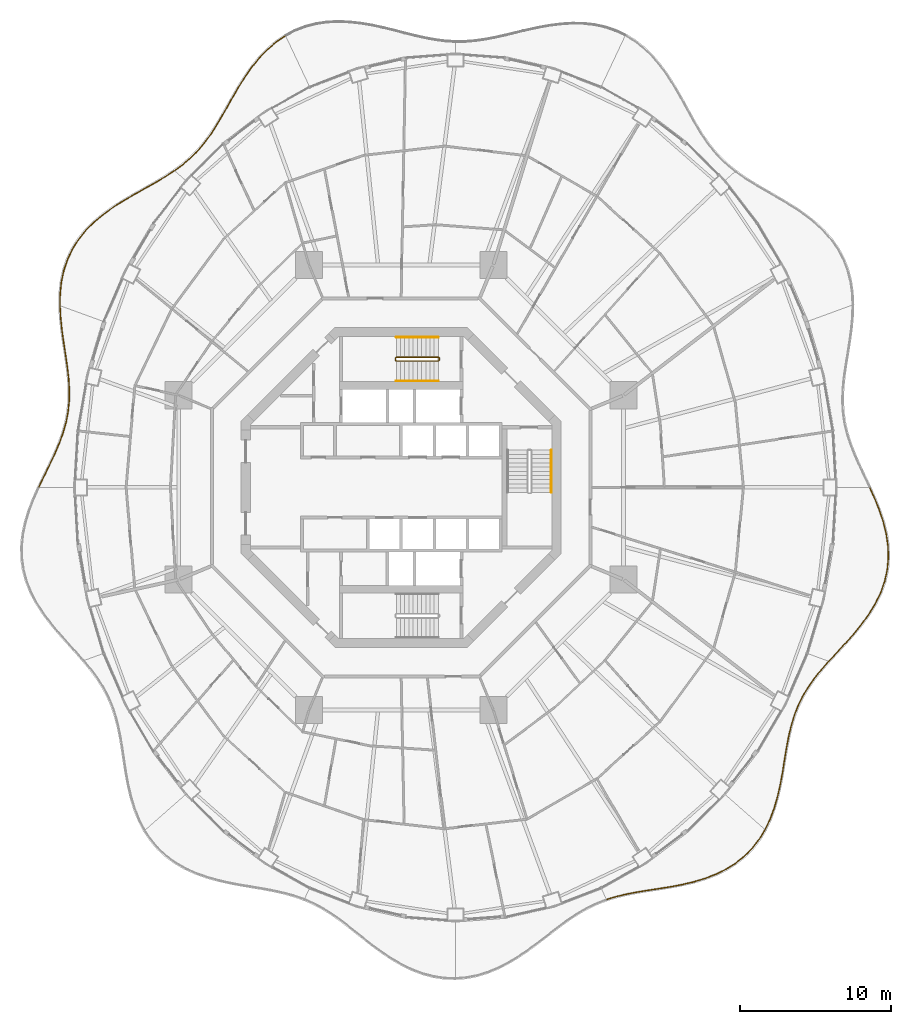
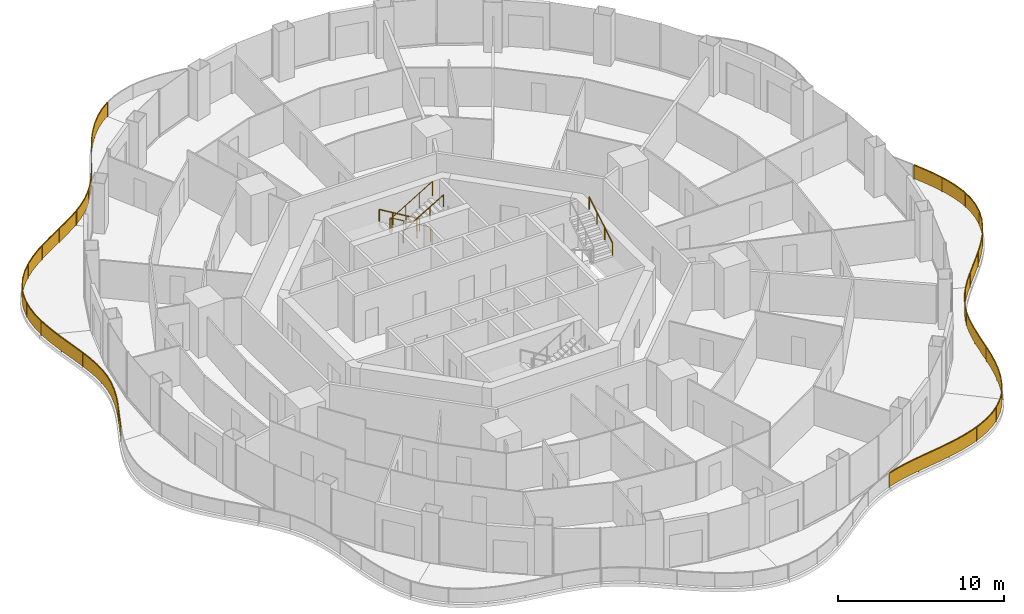
# One storey, part 18 of 19: 10 railings.
"""IFC4 building model written with IfcOpenShell, lengths in metres."""

import ifcopenshell
import ifcopenshell.guid

model = None  # the IFC model being written
_history = None  # IfcOwnerHistory: only IFC2X3 demands one
_inside = {}  # id of a spatial element -> (the spatial element, [elements in it])
_under = {}  # id of a project, library or spatial element -> (it, [spatial elements below it])
_declared = {}  # id of a project -> (the project, [libraries it declares])
_typed = {}  # id of a type object -> (the type object, [elements of that type])
_made_of = {}  # id of a material, layer set ... -> (it, [elements and type objects made of it])


def new_model(schema):
    """Start an empty IFC model of exactly this schema.

    Asked for "IFC4X3", IfcOpenShell would pick the latest addendum, in which some entities
    have other attributes; the version numbers below select the first issue.
    IFC2X3 requires an IfcOwnerHistory on every rooted entity: one is made here for all.
    """
    global model, _history
    if schema == "IFC4X3":
        model = ifcopenshell.file(schema_version=(4, 3, 0, 0))
    else:
        model = ifcopenshell.file(schema=schema)
    _inside.clear()
    _under.clear()
    _declared.clear()
    _typed.clear()
    _made_of.clear()
    _history = None
    if model.schema == "IFC2X3":
        org = make("IfcOrganization", Name="unknown")
        user = make(
            "IfcPersonAndOrganization",
            ThePerson=make("IfcPerson", FamilyName="unknown"),
            TheOrganization=org,
        )
        app = make(
            "IfcApplication",
            ApplicationDeveloper=org,
            Version="unknown",
            ApplicationFullName="unknown",
            ApplicationIdentifier="unknown",
        )
        _history = make(
            "IfcOwnerHistory",
            OwningUser=user,
            OwningApplication=app,
            ChangeAction="ADDED",
            CreationDate=0,
        )
    return model


def make(cls, **values):
    """One entity of the class cls with the attributes given. An attribute that is None is left unset."""
    return model.create_entity(
        cls, **{name: value for name, value in values.items() if value is not None}
    )


def rooted(cls, **values):
    """An entity with a GlobalId (a new one), such as an element, a storey or a relation."""
    return make(cls, GlobalId=ifcopenshell.guid.new(), OwnerHistory=_history, **values)


def si_unit(unit_type, name, prefix=None):
    """IfcSIUnit, for example si_unit("LENGTHUNIT", "METRE", prefix="MILLI")."""
    return make("IfcSIUnit", UnitType=unit_type, Prefix=prefix, Name=name)


def assignment(units):
    """IfcUnitAssignment: the units of a project."""
    return None if units is None else make("IfcUnitAssignment", Units=units)


def point(xyz):
    """IfcCartesianPoint."""
    return None if xyz is None else make("IfcCartesianPoint", Coordinates=xyz)


def direction(xyz):
    """IfcDirection."""
    return None if xyz is None else make("IfcDirection", DirectionRatios=xyz)


def frame(location, z_axis=None, x_axis=None):
    """IfcAxis2Placement3D, a coordinate frame: its origin and axes. An axis left out is left unset."""
    return make(
        "IfcAxis2Placement3D",
        Location=point(location),
        Axis=direction(z_axis),
        RefDirection=direction(x_axis),
    )


def frame_2d(location, x_axis=None):
    """IfcAxis2Placement2D, a coordinate frame in the plane: its origin and x axis."""
    return make(
        "IfcAxis2Placement2D", Location=point(location), RefDirection=direction(x_axis)
    )


def origin():
    """The frame at (0, 0, 0) with its axes left unset."""
    return frame((0.0, 0.0, 0.0))


def origin_2d():
    """The frame at (0, 0) in the plane with its x axis left unset."""
    return frame_2d((0.0, 0.0))


def place(relative_to, where):
    """IfcLocalPlacement: puts the frame where relative to a parent placement (None: the world)."""
    return make(
        "IfcLocalPlacement", PlacementRelTo=relative_to, RelativePlacement=where
    )


def context(
    kind, dimensions, precision=None, world=None, true_north=None, identifier=None
):
    """IfcGeometricRepresentationContext, for example the 3D "Model" context."""
    return make(
        "IfcGeometricRepresentationContext",
        ContextIdentifier=identifier,
        ContextType=kind,
        CoordinateSpaceDimension=dimensions,
        Precision=precision,
        WorldCoordinateSystem=world,
        TrueNorth=true_north,
    )


def subcontext(parent, identifier, kind, view, scale=None):
    """IfcGeometricRepresentationSubContext, for example "Body" below "Model"."""
    return make(
        "IfcGeometricRepresentationSubContext",
        ContextIdentifier=identifier,
        ContextType=kind,
        ParentContext=parent,
        TargetScale=scale,
        TargetView=view,
    )


def project(units=None, contexts=None):
    """IfcProject with its units and contexts."""
    return rooted(
        "IfcProject",
        Name="project",
        RepresentationContexts=contexts,
        UnitsInContext=assignment(units),
    )


def spatial(cls, under=None, at=None, **own):
    """A site, building, storey or space (cls), placed at a placement, below another one or the project."""
    s = rooted(cls, ObjectPlacement=at, **own)
    if under is not None:
        _under.setdefault(under.id(), (under, []))[1].append(s)
    return s


def polyline(points):
    """IfcPolyline through the points."""
    return make("IfcPolyline", Points=[point(p) for p in points])


def profile(cls, at=None, kind="AREA", **sizes):
    """A parametric profile (cls). Its sizes go by their IFC names, for example OverallWidth=200.0."""
    return make(cls, ProfileType=kind, Position=at, **sizes)


def rectangle(**sizes):
    """IfcRectangleProfileDef."""
    return profile("IfcRectangleProfileDef", **sizes)


def circle(**sizes):
    """IfcCircleProfileDef."""
    return profile("IfcCircleProfileDef", **sizes)


def outline(outer, holes=None, kind="AREA"):
    """IfcArbitraryClosedProfileDef: a profile drawn as a closed curve; with holes, ...WithVoids."""
    if holes is None:
        return make("IfcArbitraryClosedProfileDef", ProfileType=kind, OuterCurve=outer)
    return make(
        "IfcArbitraryProfileDefWithVoids",
        ProfileType=kind,
        OuterCurve=outer,
        InnerCurves=holes,
    )


def extrude(swept, where, along, depth):
    """IfcExtrudedAreaSolid: the profile swept, set in the frame where, extruded along a direction by depth."""
    return make(
        "IfcExtrudedAreaSolid",
        SweptArea=swept,
        Position=where,
        ExtrudedDirection=direction(along),
        Depth=depth,
    )


def shape(context_of_items, identifier, shape_type, items):
    """IfcShapeRepresentation: the items that make up one representation, for example the "Body"."""
    return make(
        "IfcShapeRepresentation",
        ContextOfItems=context_of_items,
        RepresentationIdentifier=identifier,
        RepresentationType=shape_type,
        Items=items,
    )


def material(Name=None, Category=None):
    """IfcMaterial."""
    return make("IfcMaterial", Name=Name, Category=Category)


def made_of(thing, what):
    """Note that an element or type object is made of a material, layer set ...; save() writes the relation."""
    if what is not None:
        _made_of.setdefault(what.id(), (what, []))[1].append(thing)
    return thing


def type_object(cls, material=None, **own):
    """A type object (cls), such as IfcWallType, which elements share."""
    return made_of(rooted(cls, **own), material)


def element(
    cls,
    number,
    at=None,
    inside=None,
    cuts=None,
    type_object=None,
    material=None,
    context=None,
    identifier="Body",
    shape_type=None,
    held_by="IfcProductDefinitionShape",
    body=None,
    shapes=None,
    **own,
):
    """One element of the class cls, such as IfcWall. Its Tag is "e" and its number.

    at: its placement. inside: the storey or other place that contains it. cuts: it is an
    opening in that element (IfcRelVoidsElement). A single representation is given by context,
    identifier, shape_type and body (its items); several are given by shapes. held_by: the class
    of the entity that holds the representations. save() writes the other relations.
    """
    e = rooted(cls, Tag="e%d" % number, ObjectPlacement=at, **own)
    if body is not None:
        shapes = [shape(context, identifier, shape_type, body)]
    if shapes is not None:
        e.Representation = make(held_by, Representations=shapes)
    if inside is not None:
        _inside.setdefault(inside.id(), (inside, []))[1].append(e)
    if cuts is not None:
        rooted(
            "IfcRelVoidsElement", RelatingBuildingElement=cuts, RelatedOpeningElement=e
        )
    if type_object is not None:
        _typed.setdefault(type_object.id(), (type_object, []))[1].append(e)
    return made_of(e, material)


def aggregate(whole, parts):
    """IfcRelAggregates: a whole, such as a stair, and the parts it consists of."""
    return rooted("IfcRelAggregates", RelatingObject=whole, RelatedObjects=parts)


def save(model, path):
    """Write the relations noted so far, then the file.

    IfcRelAggregates (storeys below a building ...), IfcRelContainedInSpatialStructure (elements
    in a storey), IfcRelDefinesByType, IfcRelAssociatesMaterial and IfcRelDeclares: one each for
    every whole, place, type object, material and project.
    """
    for whole, parts in _under.values():
        aggregate(whole, parts)
    for where, things in _inside.values():
        rooted(
            "IfcRelContainedInSpatialStructure",
            RelatedElements=things,
            RelatingStructure=where,
        )
    for kind, things in _typed.values():
        rooted("IfcRelDefinesByType", RelatedObjects=things, RelatingType=kind)
    for what, things in _made_of.values():
        rooted("IfcRelAssociatesMaterial", RelatedObjects=things, RelatingMaterial=what)
    for by, libraries in _declared.values():
        rooted("IfcRelDeclares", RelatingContext=by, RelatedDefinitions=libraries)
    model.write(path)


model = new_model("IFC4")

# Units and contexts
model_context = context("Model", 3, precision=1e-05, world=origin(), true_north=direction((0.0, 1.0)))
body_context = subcontext(model_context, "Body", "Model", "MODEL_VIEW")
ifc_project = project(units=[si_unit("LENGTHUNIT", "METRE"), si_unit("AREAUNIT", "SQUARE_METRE"), si_unit("VOLUMEUNIT", "CUBIC_METRE"), si_unit("PLANEANGLEUNIT", "RADIAN"), si_unit("MASSUNIT", "GRAM", prefix="KILO")], contexts=[model_context])

# Site, building, storey
site_placement = place(None, origin())
site = spatial("IfcSite", under=ifc_project, at=site_placement, CompositionType="ELEMENT")
building_placement = place(site_placement, origin())
building = spatial("IfcBuilding", under=site, at=building_placement, Name="Nagisa Residences", CompositionType="ELEMENT")
storey_placement = place(building_placement, frame((0.0, 0.0, 177.0)))
storey = spatial("IfcBuildingStorey", under=building, at=storey_placement, Name="L44", CompositionType="ELEMENT", Elevation=177.0)

# Railings
ifc_material_1 = material(Name="Stainless steel 316", Category="steel")
railing_type_1 = type_object("IfcRailingType", Name="BALCONY GUARD 1100", PredefinedType="BALUSTRADE", material=ifc_material_1)
railing_1_placement = place(storey_placement, frame((-7.71484375, 29.990966796875, 0.0)))
element("IfcRailing", 1, at=railing_1_placement, inside=storey, type_object=railing_type_1, Name="guard:L44:bal05-0", PredefinedType="BALUSTRADE", context=body_context, shape_type="SweptSolid", body=[
    extrude(outline(polyline([(-0.57421875, -0.423095703125), (0.01416015625, -0.020751953125), (-0.01416015625, 0.020751953125), (-0.6044921875, -0.383056640625), (-1.190673828125, -0.883544921875), (-1.730712890625, -1.444580078125), (-2.2265625, -2.053466796875), (-2.681396484375, -2.697265625), (-3.0888671875, -3.353271484375), (-3.483154296875, -4.025634765625), (-3.860107421875, -4.692626953125), (-4.230224609375, -5.3427734375), (-4.602783203125, -5.966552734375), (-4.9765625, -6.54638671875), (-5.384521484375, -7.098388671875), (-5.822509765625, -7.61083984375), (-6.296142578125, -8.084716796875), (-6.80859375, -8.523193359375), (-7.326904296875, -8.90576171875), (-7.297119140625, -8.94580078125), (-6.77734375, -8.562255859375), (-6.261962890625, -8.121337890625), (-5.785888671875, -7.64501953125), (-5.345458984375, -7.129638671875), (-4.935546875, -6.57470703125), (-4.560302734375, -5.992919921875), (-4.186767578125, -5.3681640625), (-3.816650390625, -4.717529296875), (-3.439697265625, -4.050537109375), (-3.0458984375, -3.379150390625), (-2.639892578125, -2.72509765625), (-2.1865234375, -2.083740234375), (-1.693115234375, -1.477783203125), (-1.156494140625, -0.920166015625), (-0.57421875, -0.423095703125)])), frame((0.0, 0.0, 1.050048828125)), (0.0, 0.0, 1.0), 0.050048828125),
    extrude(outline(polyline([(-0.585205078125, -0.40869140625), (0.00390625, -0.005859375), (-0.00390625, 0.005859375), (-0.593505859375, -0.3974609375), (-1.178466796875, -0.896728515625), (-1.717041015625, -1.45654296875), (-2.212158203125, -2.064453125), (-2.66650390625, -2.707275390625), (-3.073486328125, -3.362548828125), (-3.467529296875, -4.03466796875), (-3.844482421875, -4.70166015625), (-4.214599609375, -5.35205078125), (-4.58740234375, -5.97607421875), (-4.9619140625, -6.556640625), (-5.370361328125, -7.109619140625), (-5.809326171875, -7.623291015625), (-6.28369140625, -8.097900390625), (-6.79736328125, -8.537353515625), (-7.316162109375, -8.920166015625), (-7.307861328125, -8.931396484375), (-6.78857421875, -8.548095703125), (-6.2744140625, -8.108154296875), (-5.799072265625, -7.632568359375), (-5.359619140625, -7.118408203125), (-4.9501953125, -6.564453125), (-4.57568359375, -5.9833984375), (-4.202392578125, -5.35888671875), (-3.832275390625, -4.70849609375), (-3.455322265625, -4.04150390625), (-3.061279296875, -3.369873046875), (-2.65478515625, -2.715087890625), (-2.200927734375, -2.07275390625), (-1.706787109375, -1.4658203125), (-1.168701171875, -0.906982421875), (-0.585205078125, -0.40869140625)])), frame((0.0, 0.0, 0.06005859375)), (0.0, 0.0, 1.0), 0.989990234375),
    extrude(rectangle(XDim=0.0400390625, YDim=0.0400390625, at=origin_2d()), origin(), (0.0, 0.0, 1.0), 1.050048828125),
    extrude(rectangle(XDim=0.0400390625, YDim=0.0400390625, at=origin_2d()), frame((-1.759521484375, -1.51953125, 0.0)), (0.0, 0.0, 1.0), 1.050048828125),
    extrude(rectangle(XDim=0.0400390625, YDim=0.0400390625, at=origin_2d()), frame((-3.1015625, -3.424560546875, 0.0)), (0.0, 0.0, 1.0), 1.050048828125),
    extrude(rectangle(XDim=0.0400390625, YDim=0.0400390625, at=origin_2d()), frame((-4.263916015625, -5.4482421875, 0.0)), (0.0, 0.0, 1.0), 1.050048828125),
    extrude(rectangle(XDim=0.0400390625, YDim=0.0400390625, at=origin_2d()), frame((-5.5830078125, -7.368896484375, 0.0)), (0.0, 0.0, 1.0), 1.050048828125),
    extrude(rectangle(XDim=0.0400390625, YDim=0.0400390625, at=origin_2d()), frame((-7.31201171875, -8.92578125, 0.0)), (0.0, 0.0, 1.0), 1.050048828125),
])
railing_2_placement = place(storey_placement, frame((-15.0869140625, 21.02587890625, 0.0)))
element("IfcRailing", 2, at=railing_2_placement, inside=storey, type_object=railing_type_1, Name="guard:L44:bal06-0", PredefinedType="BALUSTRADE", context=body_context, shape_type="SweptSolid", body=[
    extrude(outline(polyline([(-0.572265625, -0.40185546875), (0.013671875, -0.02099609375), (-0.013671875, 0.02099609375), (-0.5986328125, -0.359375), (-1.2548828125, -0.7490234375), (-1.9384765625, -1.135009765625), (-2.63818359375, -1.52783203125), (-3.340087890625, -1.938720703125), (-4.021240234375, -2.364990234375), (-4.683349609375, -2.83935546875), (-5.30224609375, -3.35546875), (-5.864501953125, -3.917236328125), (-6.3583984375, -4.52587890625), (-6.767822265625, -5.16748046875), (-7.100341796875, -5.86474609375), (-7.346923828125, -6.599609375), (-7.50927734375, -7.36474609375), (-7.59326171875, -8.152587890625), (-7.60498046875, -8.908935546875), (-7.55517578125, -8.909912109375), (-7.54345703125, -8.155517578125), (-7.4599609375, -7.37255859375), (-7.298583984375, -6.61279296875), (-7.053955078125, -5.8837890625), (-6.723876953125, -5.19189453125), (-6.31787109375, -4.55517578125), (-5.827392578125, -3.950927734375), (-5.2685546875, -3.392578125), (-4.652587890625, -2.87890625), (-3.993408203125, -2.406494140625), (-3.314208984375, -1.981689453125), (-2.61328125, -1.5712890625), (-1.9140625, -1.178466796875), (-1.22998046875, -0.79248046875), (-0.572265625, -0.40185546875)])), frame((0.0, 0.0, 1.050048828125)), (0.0, 0.0, 1.0), 0.050048828125),
    extrude(outline(polyline([(-0.581787109375, -0.386474609375), (0.00390625, -0.005859375), (-0.00390625, 0.005859375), (-0.589111328125, -0.374755859375), (-1.245849609375, -0.7646484375), (-1.9296875, -1.150634765625), (-2.629150390625, -1.54345703125), (-3.330810546875, -1.9541015625), (-4.01123046875, -2.3798828125), (-4.67236328125, -2.853515625), (-5.2900390625, -3.368896484375), (-5.85107421875, -3.929443359375), (-6.34375, -4.536376953125), (-6.751953125, -5.17626953125), (-7.083740234375, -5.87158203125), (-7.32958984375, -6.604248046875), (-7.491455078125, -7.367431640625), (-7.575439453125, -8.153564453125), (-7.587158203125, -8.909423828125), (-7.572998046875, -8.909423828125), (-7.561279296875, -8.154541015625), (-7.477783203125, -7.369873046875), (-7.31591796875, -6.608154296875), (-7.070556640625, -5.876953125), (-6.73974609375, -5.18310546875), (-6.33251953125, -4.544677734375), (-5.8408203125, -3.938720703125), (-5.28076171875, -3.379150390625), (-4.66357421875, -2.86474609375), (-4.00341796875, -2.3916015625), (-3.323486328125, -1.96630859375), (-2.622314453125, -1.5556640625), (-1.9228515625, -1.162841796875), (-1.239013671875, -0.77685546875), (-0.581787109375, -0.386474609375)])), frame((0.0, 0.0, 0.06005859375)), (0.0, 0.0, 1.0), 0.989990234375),
    extrude(rectangle(XDim=0.0400390625, YDim=0.0400390625, at=origin_2d()), origin(), (0.0, 0.0, 1.0), 1.050048828125),
    extrude(rectangle(XDim=0.0400390625, YDim=0.0400390625, at=origin_2d()), frame((-1.7802734375, -1.07421875, 0.0)), (0.0, 0.0, 1.0), 1.050048828125),
    extrude(rectangle(XDim=0.0400390625, YDim=0.0400390625, at=origin_2d()), frame((-3.5791015625, -2.117919921875, 0.0)), (0.0, 0.0, 1.0), 1.050048828125),
    extrude(rectangle(XDim=0.0400390625, YDim=0.0400390625, at=origin_2d()), frame((-5.253173828125, -3.34716796875, 0.0)), (0.0, 0.0, 1.0), 1.050048828125),
    extrude(rectangle(XDim=0.0400390625, YDim=0.0400390625, at=origin_2d()), frame((-6.587890625, -4.93212890625, 0.0)), (0.0, 0.0, 1.0), 1.050048828125),
    extrude(rectangle(XDim=0.0400390625, YDim=0.0400390625, at=origin_2d()), frame((-7.37353515625, -6.845703125, 0.0)), (0.0, 0.0, 1.0), 1.050048828125),
    extrude(rectangle(XDim=0.0400390625, YDim=0.0400390625, at=origin_2d()), frame((-7.580078125, -8.909423828125, 0.0)), (0.0, 0.0, 1.0), 1.050048828125),
])
railing_3_placement = place(storey_placement, frame((-22.66455078125, 12.039306640625, 0.0)))
element("IfcRailing", 3, at=railing_3_placement, inside=storey, type_object=railing_type_1, Name="guard:L44:bal07-0", PredefinedType="BALUSTRADE", context=body_context, shape_type="SweptSolid", body=[
    extrude(outline(polyline([(0.069091796875, -0.785888671875), (0.02490234375, 0.00146484375), (-0.02490234375, -0.00146484375), (0.019287109375, -0.789794921875), (0.1083984375, -1.62353515625), (0.224853515625, -2.4482421875), (0.348876953125, -3.258544921875), (0.462158203125, -4.051025390625), (0.551513671875, -4.8095703125), (0.5947265625, -5.5615234375), (0.584716796875, -6.295654296875), (0.512451171875, -7.0146484375), (0.3759765625, -7.723876953125), (0.17724609375, -8.414306640625), (-0.08056640625, -9.11962890625), (-0.386474609375, -9.83056640625), (-0.726806640625, -10.5517578125), (-1.084716796875, -11.2861328125), (-1.42431640625, -11.994140625), (-1.37939453125, -12.015625), (-1.039794921875, -11.30810546875), (-0.681884765625, -10.5732421875), (-0.341064453125, -9.85107421875), (-0.0341796875, -9.13818359375), (0.22509765625, -8.429931640625), (0.4248046875, -7.735595703125), (0.562255859375, -7.02197265625), (0.634521484375, -6.298583984375), (0.64501953125, -5.560546875), (0.601318359375, -4.80517578125), (0.511962890625, -4.044677734375), (0.398193359375, -3.251220703125), (0.274169921875, -2.44091796875), (0.158203125, -1.6171875), (0.069091796875, -0.785888671875)])), frame((0.0, 0.0, 1.050048828125)), (0.0, 0.0, 1.0), 0.050048828125),
    extrude(outline(polyline([(0.05126953125, -0.787353515625), (0.007080078125, 0.00048828125), (-0.007080078125, -0.00048828125), (0.037109375, -0.788330078125), (0.12646484375, -1.621337890625), (0.24267578125, -2.445556640625), (0.36669921875, -3.255859375), (0.480224609375, -4.048828125), (0.5693359375, -4.80810546875), (0.61279296875, -5.561279296875), (0.6025390625, -6.296630859375), (0.530517578125, -7.017333984375), (0.3935546875, -7.72802734375), (0.194580078125, -8.419921875), (-0.06396484375, -9.126220703125), (-0.3701171875, -9.837890625), (-0.710693359375, -10.5595703125), (-1.068603515625, -11.294189453125), (-1.408203125, -12.001953125), (-1.3955078125, -12.0078125), (-1.055908203125, -11.300048828125), (-0.697998046875, -10.5654296875), (-0.357421875, -9.84375), (-0.05078125, -9.131591796875), (0.207763671875, -8.42431640625), (0.4072265625, -7.7314453125), (0.544189453125, -7.019287109375), (0.61669921875, -6.297607421875), (0.626953125, -5.560791015625), (0.58349609375, -4.806640625), (0.493896484375, -4.046875), (0.38037109375, -3.25390625), (0.25634765625, -2.443603515625), (0.14013671875, -1.619384765625), (0.05126953125, -0.787353515625)])), frame((0.0, 0.0, 0.06005859375)), (0.0, 0.0, 1.0), 0.989990234375),
    extrude(rectangle(XDim=0.0400390625, YDim=0.0400390625, at=origin_2d()), origin(), (0.0, 0.0, 1.0), 1.050048828125),
    extrude(rectangle(XDim=0.0400390625, YDim=0.0400390625, at=origin_2d()), frame((0.195556640625, -2.061767578125, 0.0)), (0.0, 0.0, 1.0), 1.050048828125),
    extrude(rectangle(XDim=0.0400390625, YDim=0.0400390625, at=origin_2d()), frame((0.49462890625, -4.1123046875, 0.0)), (0.0, 0.0, 1.0), 1.050048828125),
    extrude(rectangle(XDim=0.0400390625, YDim=0.0400390625, at=origin_2d()), frame((0.611328125, -6.17822265625, 0.0)), (0.0, 0.0, 1.0), 1.050048828125),
    extrude(rectangle(XDim=0.0400390625, YDim=0.0400390625, at=origin_2d()), frame((0.260986328125, -8.214111328125, 0.0)), (0.0, 0.0, 1.0), 1.050048828125),
    extrude(rectangle(XDim=0.0400390625, YDim=0.0400390625, at=origin_2d()), frame((-0.503662109375, -10.137451171875, 0.0)), (0.0, 0.0, 1.0), 1.050048828125),
    extrude(rectangle(XDim=0.0400390625, YDim=0.0400390625, at=origin_2d()), frame((-1.40185546875, -12.0048828125, 0.0)), (0.0, 0.0, 1.0), 1.050048828125),
])
railing_4_placement = place(storey_placement, frame((13.67333984375, -27.3662109375, 0.0)))
element("IfcRailing", 4, at=railing_4_placement, inside=storey, type_object=railing_type_1, Name="guard:L44:bal13-0", PredefinedType="BALUSTRADE", context=body_context, shape_type="SweptSolid", body=[
    extrude(outline(polyline([(0.6083984375, 0.20947265625), (-0.00732421875, 0.02392578125), (0.00732421875, -0.02392578125), (0.62158203125, 0.1611328125), (1.302978515625, 0.323486328125), (2.010986328125, 0.458984375), (2.743408203125, 0.5791015625), (3.495849609375, 0.695556640625), (4.247802734375, 0.8125), (5.018310546875, 0.9609375), (5.783935546875, 1.1435546875), (6.53369140625, 1.371337890625), (7.25732421875, 1.65234375), (7.931884765625, 1.98291015625), (8.57177734375, 2.3876953125), (9.15673828125, 2.857421875), (9.6806640625, 3.389892578125), (10.140380859375, 3.9814453125), (10.5078125, 4.585205078125), (10.46484375, 4.611083984375), (10.098876953125, 4.009765625), (9.64306640625, 3.423095703125), (9.123046875, 2.89453125), (8.54248046875, 2.4287109375), (7.907470703125, 2.02685546875), (7.2373046875, 1.6982421875), (6.517578125, 1.418701171875), (5.770751953125, 1.19189453125), (5.007568359375, 1.009765625), (4.239013671875, 0.86181640625), (3.488037109375, 0.744873046875), (2.735595703125, 0.62841796875), (2.002197265625, 0.50830078125), (1.292236328125, 0.372314453125), (0.6083984375, 0.20947265625)])), frame((0.0, 0.0, 1.050048828125)), (0.0, 0.0, 1.0), 0.050048828125),
    extrude(outline(polyline([(0.61328125, 0.192138671875), (-0.001953125, 0.006591796875), (0.001953125, -0.006591796875), (0.61669921875, 0.178466796875), (1.299072265625, 0.341064453125), (2.0078125, 0.476806640625), (2.74072265625, 0.596923828125), (3.492919921875, 0.71337890625), (4.24462890625, 0.830322265625), (5.014404296875, 0.978515625), (5.779296875, 1.160888671875), (6.52783203125, 1.388427734375), (7.250244140625, 1.6689453125), (7.923095703125, 1.998779296875), (8.561279296875, 2.402587890625), (9.14453125, 2.870849609375), (9.667236328125, 3.40185546875), (10.12548828125, 3.99169921875), (10.4921875, 4.594482421875), (10.48046875, 4.601806640625), (10.11376953125, 3.99951171875), (9.656494140625, 3.4111328125), (9.13525390625, 2.881103515625), (8.552978515625, 2.413818359375), (7.916259765625, 2.010986328125), (7.244384765625, 1.681640625), (6.5234375, 1.401611328125), (5.775390625, 1.174560546875), (5.011474609375, 0.9921875), (4.2421875, 0.843994140625), (3.490966796875, 0.72705078125), (2.73828125, 0.610595703125), (2.00537109375, 0.490478515625), (1.296142578125, 0.354736328125), (0.61328125, 0.192138671875)])), frame((0.0, 0.0, 0.06005859375)), (0.0, 0.0, 1.0), 0.989990234375),
    extrude(rectangle(XDim=0.0400390625, YDim=0.0400390625, at=origin_2d()), origin(), (0.0, 0.0, 1.0), 1.050048828125),
    extrude(rectangle(XDim=0.0400390625, YDim=0.0400390625, at=origin_2d()), frame((2.317138671875, 0.534423828125, 0.0)), (0.0, 0.0, 1.0), 1.050048828125),
    extrude(rectangle(XDim=0.0400390625, YDim=0.0400390625, at=origin_2d()), frame((4.666015625, 0.91845703125, 0.0)), (0.0, 0.0, 1.0), 1.050048828125),
    extrude(rectangle(XDim=0.0400390625, YDim=0.0400390625, at=origin_2d()), frame((6.953857421875, 1.561279296875, 0.0)), (0.0, 0.0, 1.0), 1.050048828125),
    extrude(rectangle(XDim=0.0400390625, YDim=0.0400390625, at=origin_2d()), frame((8.995849609375, 2.76025390625, 0.0)), (0.0, 0.0, 1.0), 1.050048828125),
    extrude(rectangle(XDim=0.0400390625, YDim=0.0400390625, at=origin_2d()), frame((10.486328125, 4.59814453125, 0.0)), (0.0, 0.0, 1.0), 1.050048828125),
])
railing_5_placement = place(storey_placement, frame((24.196044921875, -22.699951171875, 0.0)))
element("IfcRailing", 5, at=railing_5_placement, inside=storey, type_object=railing_type_1, Name="guard:L44:bal14-0", PredefinedType="BALUSTRADE", context=body_context, shape_type="SweptSolid", body=[
    extrude(outline(polyline([(0.298828125, 0.68896484375), (-0.022705078125, 0.0107421875), (0.022705078125, -0.0107421875), (0.34521484375, 0.66943359375), (0.625, 1.429443359375), (0.84814453125, 2.21484375), (1.026611328125, 3.013671875), (1.173583984375, 3.81396484375), (1.294921875, 4.59326171875), (1.42333984375, 5.36669921875), (1.564697265625, 6.115966796875), (1.73291015625, 6.8359375), (1.939453125, 7.524658203125), (2.1865234375, 8.169189453125), (2.4931640625, 8.79833984375), (2.85498046875, 9.404052734375), (3.270263671875, 9.99169921875), (3.7333984375, 10.56884765625), (4.2080078125, 11.1083984375), (4.17041015625, 11.1416015625), (3.6953125, 10.60107421875), (3.230224609375, 10.02197265625), (2.81298828125, 9.431396484375), (2.44921875, 8.822265625), (2.140625, 8.189208984375), (1.89208984375, 7.540771484375), (1.6845703125, 6.8486328125), (1.515869140625, 6.126220703125), (1.3740234375, 5.37548828125), (1.24560546875, 4.60107421875), (1.124267578125, 3.822265625), (0.977783203125, 3.0234375), (0.7998046875, 2.22705078125), (0.5771484375, 1.445068359375), (0.298828125, 0.68896484375)])), frame((0.0, 0.0, 1.050048828125)), (0.0, 0.0, 1.0), 0.050048828125),
    extrude(outline(polyline([(0.315673828125, 0.681884765625), (-0.00634765625, 0.0029296875), (0.00634765625, -0.0029296875), (0.328369140625, 0.676513671875), (0.607666015625, 1.43505859375), (0.830810546875, 2.21923828125), (1.009033203125, 3.01708984375), (1.15576171875, 3.81689453125), (1.277099609375, 4.595947265625), (1.405517578125, 5.369873046875), (1.547119140625, 6.11962890625), (1.715576171875, 6.840576171875), (1.92236328125, 7.530517578125), (2.169921875, 8.176513671875), (2.477294921875, 8.806884765625), (2.83984375, 9.413818359375), (3.255859375, 10.002685546875), (3.7197265625, 10.58056640625), (4.194580078125, 11.120361328125), (4.183837890625, 11.129638671875), (3.708984375, 10.58935546875), (3.24462890625, 10.010986328125), (2.828125, 9.421630859375), (2.465087890625, 8.813720703125), (2.1572265625, 8.181884765625), (1.9091796875, 7.534912109375), (1.701904296875, 6.843994140625), (1.533447265625, 6.12255859375), (1.391845703125, 5.372314453125), (1.263427734375, 4.598388671875), (1.14208984375, 3.8193359375), (0.995361328125, 3.02001953125), (0.817138671875, 2.22265625), (0.594482421875, 1.439453125), (0.315673828125, 0.681884765625)])), frame((0.0, 0.0, 0.06005859375)), (0.0, 0.0, 1.0), 0.989990234375),
    extrude(rectangle(XDim=0.0400390625, YDim=0.0400390625, at=origin_2d()), origin(), (0.0, 0.0, 1.0), 1.050048828125),
    extrude(rectangle(XDim=0.0400390625, YDim=0.0400390625, at=origin_2d()), frame((0.7255859375, 1.874755859375, 0.0)), (0.0, 0.0, 1.0), 1.050048828125),
    extrude(rectangle(XDim=0.0400390625, YDim=0.0400390625, at=origin_2d()), frame((1.152587890625, 3.842041015625, 0.0)), (0.0, 0.0, 1.0), 1.050048828125),
    extrude(rectangle(XDim=0.0400390625, YDim=0.0400390625, at=origin_2d()), frame((1.485107421875, 5.82861328125, 0.0)), (0.0, 0.0, 1.0), 1.050048828125),
    extrude(rectangle(XDim=0.0400390625, YDim=0.0400390625, at=origin_2d()), frame((2.007080078125, 7.77099609375, 0.0)), (0.0, 0.0, 1.0), 1.050048828125),
    extrude(rectangle(XDim=0.0400390625, YDim=0.0400390625, at=origin_2d()), frame((2.9306640625, 9.554443359375, 0.0)), (0.0, 0.0, 1.0), 1.050048828125),
    extrude(rectangle(XDim=0.0400390625, YDim=0.0400390625, at=origin_2d()), frame((4.189208984375, 11.125, 0.0)), (0.0, 0.0, 1.0), 1.050048828125),
])
railing_6_placement = place(storey_placement, frame((28.436767578125, -11.520751953125, 0.0)))
element("IfcRailing", 6, at=railing_6_placement, inside=storey, type_object=railing_type_1, Name="guard:L44:bal15-0", PredefinedType="BALUSTRADE", context=body_context, shape_type="SweptSolid", body=[
    extrude(outline(polyline([(0.5, 0.579345703125), (-0.018310546875, 0.016845703125), (0.018310546875, -0.016845703125), (0.53662109375, 0.545654296875), (1.095947265625, 1.153076171875), (1.64990234375, 1.77880859375), (2.1796875, 2.42724609375), (2.666748046875, 3.10205078125), (3.091064453125, 3.79052734375), (3.443603515625, 4.51953125), (3.70947265625, 5.272705078125), (3.880859375, 6.0458984375), (3.954833984375, 6.833984375), (3.930419921875, 7.616943359375), (3.817138671875, 8.416259765625), (3.62353515625, 9.212646484375), (3.36328125, 10.00048828125), (3.053466796875, 10.776611328125), (2.728759765625, 11.496337890625), (2.683349609375, 11.475830078125), (3.007568359375, 10.757080078125), (3.31640625, 9.9833984375), (3.5751953125, 9.198974609375), (3.767822265625, 8.406982421875), (3.880615234375, 7.612548828125), (3.904541015625, 6.83544921875), (3.83154296875, 6.0537109375), (3.6611328125, 5.286376953125), (3.397216796875, 4.53857421875), (3.047119140625, 3.814453125), (2.625244140625, 3.1298828125), (2.14013671875, 2.45751953125), (1.61181640625, 1.81103515625), (1.058837890625, 1.186767578125), (0.5, 0.579345703125)])), frame((0.0, 0.0, 1.050048828125)), (0.0, 0.0, 1.0), 0.050048828125),
    extrude(outline(polyline([(0.51318359375, 0.567138671875), (-0.005126953125, 0.004638671875), (0.005126953125, -0.004638671875), (0.5234375, 0.557861328125), (1.08251953125, 1.165283203125), (1.63623046875, 1.790283203125), (2.16552734375, 2.438232421875), (2.65185546875, 3.112060546875), (3.0751953125, 3.799072265625), (3.427001953125, 4.5263671875), (3.692138671875, 5.277587890625), (3.863037109375, 6.048828125), (3.936767578125, 6.83447265625), (3.91259765625, 7.615234375), (3.79931640625, 8.412841796875), (3.606201171875, 9.207763671875), (3.346435546875, 9.994384765625), (3.036865234375, 10.76953125), (2.71240234375, 11.489013671875), (2.69970703125, 11.483154296875), (3.024169921875, 10.76416015625), (3.333251953125, 9.989501953125), (3.592529296875, 9.203857421875), (3.78564453125, 8.410400390625), (3.8984375, 7.6142578125), (3.922607421875, 6.8349609375), (3.849365234375, 6.05078125), (3.678466796875, 5.281494140625), (3.413818359375, 4.53173828125), (3.06298828125, 3.805908203125), (2.64013671875, 3.119873046875), (2.154296875, 2.446533203125), (1.62548828125, 1.799560546875), (1.072265625, 1.174560546875), (0.51318359375, 0.567138671875)])), frame((0.0, 0.0, 0.06005859375)), (0.0, 0.0, 1.0), 0.989990234375),
    extrude(rectangle(XDim=0.0400390625, YDim=0.0400390625, at=origin_2d()), origin(), (0.0, 0.0, 1.0), 1.050048828125),
    extrude(rectangle(XDim=0.0400390625, YDim=0.0400390625, at=origin_2d()), frame((1.451904296875, 1.593017578125, 0.0)), (0.0, 0.0, 1.0), 1.050048828125),
    extrude(rectangle(XDim=0.0400390625, YDim=0.0400390625, at=origin_2d()), frame((2.7607421875, 3.30224609375, 0.0)), (0.0, 0.0, 1.0), 1.050048828125),
    extrude(rectangle(XDim=0.0400390625, YDim=0.0400390625, at=origin_2d()), frame((3.673583984375, 5.246337890625, 0.0)), (0.0, 0.0, 1.0), 1.050048828125),
    extrude(rectangle(XDim=0.0400390625, YDim=0.0400390625, at=origin_2d()), frame((3.912841796875, 7.37744140625, 0.0)), (0.0, 0.0, 1.0), 1.050048828125),
    extrude(rectangle(XDim=0.0400390625, YDim=0.0400390625, at=origin_2d()), frame((3.506591796875, 9.48681640625, 0.0)), (0.0, 0.0, 1.0), 1.050048828125),
    extrude(rectangle(XDim=0.0400390625, YDim=0.0400390625, at=origin_2d()), frame((2.7060546875, 11.486083984375, 0.0)), (0.0, 0.0, 1.0), 1.050048828125),
])
ifc_material_2 = material(Name="Stainless steel", Category="steel")
railing_type_2 = type_object("IfcRailingType", Name="Stair guard 1100", PredefinedType="GUARDRAIL", material=ifc_material_2)
railing_7_placement = place(storey_placement, frame((2.52490234375, 8.44970703125, 0.0)))
element("IfcRailing", 7, at=railing_7_placement, inside=storey, type_object=railing_type_2, Name="L44 ST-N stair guard 1", PredefinedType="GUARDRAIL", context=body_context, shape_type="SweptSolid", body=[
    extrude(circle(Radius=0.02392578125, at=origin_2d()), frame((0.0, 0.0, 1.076171875), z_axis=(0.0, 1.0, 0.0), x_axis=(-1.0, 0.0, 0.0)), (0.0, 0.0, 1.0), 0.14990234375),
    extrude(circle(Radius=0.02392578125, at=origin_2d()), frame((0.0, 0.14990234375, 1.076171875), z_axis=(-0.273006030465, 0.27434429532, 0.922064485248), x_axis=(-0.708833529934, -0.705375805398, 0.0)), (0.0, 0.0, 1.0), 0.182373046875),
    extrude(circle(Radius=0.02392578125, at=origin_2d()), frame((-0.0498046875, 0.199951171875, 1.244140625), z_axis=(-0.857242210791, 0.0, 0.514913383045), x_axis=(0.0, -1.0, 0.0)), (0.0, 0.0, 1.0), 3.266357421875),
    extrude(circle(Radius=0.02392578125, at=origin_2d()), frame((-2.849853515625, 0.199951171875, 2.92626953125), z_axis=(-0.707106781187, -0.707106781187, 0.0), x_axis=(0.707106781187, -0.707106781187, 0.0)), (0.0, 0.0, 1.0), 0.07080078125),
    extrude(circle(Radius=0.02392578125, at=origin_2d()), frame((-2.89990234375, 0.14990234375, 2.92626953125), z_axis=(0.0, -1.0, 0.0), x_axis=(1.0, 0.0, 0.0)), (0.0, 0.0, 1.0), 0.14990234375),
    extrude(circle(Radius=0.02392578125, at=origin_2d()), frame((-2.89990234375, 0.0, 2.92626953125), z_axis=(0.274582412415, -0.274582412415, 0.921525364591), x_axis=(0.707106781187, 0.707106781187, 0.0)), (0.0, 0.0, 1.0), 0.182373046875),
    extrude(circle(Radius=0.02392578125, at=origin_2d()), frame((-2.849853515625, -0.050048828125, 3.09423828125), z_axis=(0.857242210791, 0.0, 0.514913383045), x_axis=(0.0, 1.0, 0.0)), (0.0, 0.0, 1.0), 3.266357421875),
    extrude(circle(Radius=0.02099609375, at=origin_2d()), origin(), (0.0, 0.0, 1.0), 1.052001953125),
    extrude(circle(Radius=0.02099609375, at=origin_2d()), frame((0.0, 0.14990234375, 0.0)), (0.0, 0.0, 1.0), 1.052001953125),
    extrude(circle(Radius=0.02099609375, at=origin_2d()), frame((-0.0498046875, 0.199951171875, 0.168212890625)), (0.0, 0.0, 1.0), 1.052001953125),
    extrude(circle(Radius=0.02099609375, at=origin_2d()), frame((-0.983154296875, 0.199951171875, 0.728759765625)), (0.0, 0.0, 1.0), 1.052001953125),
    extrude(circle(Radius=0.02099609375, at=origin_2d()), frame((-1.91650390625, 0.199951171875, 1.28955078125)), (0.0, 0.0, 1.0), 1.052001953125),
    extrude(circle(Radius=0.02099609375, at=origin_2d()), frame((-2.849853515625, 0.199951171875, 1.85009765625)), (0.0, 0.0, 1.0), 1.052001953125),
    extrude(circle(Radius=0.02099609375, at=origin_2d()), frame((-2.89990234375, 0.14990234375, 1.85009765625)), (0.0, 0.0, 1.0), 1.052001953125),
    extrude(circle(Radius=0.02099609375, at=origin_2d()), frame((-2.89990234375, 0.0, 1.85009765625)), (0.0, 0.0, 1.0), 1.052001953125),
    extrude(circle(Radius=0.02099609375, at=origin_2d()), frame((-2.849853515625, -0.050048828125, 2.01806640625)), (0.0, 0.0, 1.0), 1.052001953125),
    extrude(circle(Radius=0.02099609375, at=origin_2d()), frame((-1.91650390625, -0.050048828125, 2.57861328125)), (0.0, 0.0, 1.0), 1.052001953125),
    extrude(circle(Radius=0.02099609375, at=origin_2d()), frame((-0.983154296875, -0.050048828125, 3.139404296875)), (0.0, 0.0, 1.0), 1.052001953125),
    extrude(circle(Radius=0.02099609375, at=origin_2d()), frame((-0.0498046875, -0.050048828125, 3.699951171875)), (0.0, 0.0, 1.0), 1.052001953125),
])
ifc_material_3 = material(Name="Stainless steel", Category="steel")
railing_type_3 = type_object("IfcRailingType", Name="Stair handrail 900", PredefinedType="HANDRAIL", material=ifc_material_3)
railing_8_placement = place(storey_placement, frame((9.974609375, -0.324951171875, 2.01806640625)))
element("IfcRailing", 8, at=railing_8_placement, inside=storey, type_object=railing_type_3, Name="L44 ST-E stair handrail 2", PredefinedType="HANDRAIL", context=body_context, shape_type="SweptSolid", body=[
    extrude(circle(Radius=0.02392578125, at=origin_2d()), frame((0.0, 0.0, 0.8759765625), z_axis=(0.0, 0.857242210791, 0.514913383045), x_axis=(-1.0, 0.0, 0.0)), (0.0, 0.0, 1.0), 3.266357421875),
    extrude(circle(Radius=0.02099609375, at=origin_2d()), origin(), (0.0, 0.0, 1.0), 0.851806640625),
    extrude(circle(Radius=0.02099609375, at=origin_2d()), frame((0.0, 0.933349609375, 0.560546875)), (0.0, 0.0, 1.0), 0.851806640625),
    extrude(circle(Radius=0.02099609375, at=origin_2d()), frame((0.0, 1.86669921875, 1.121337890625)), (0.0, 0.0, 1.0), 0.851806640625),
    extrude(circle(Radius=0.02099609375, at=origin_2d()), frame((0.0, 2.800048828125, 1.681884765625)), (0.0, 0.0, 1.0), 0.851806640625),
])
railing_9_placement = place(storey_placement, frame((2.47509765625, 9.974609375, 0.168212890625)))
element("IfcRailing", 9, at=railing_9_placement, inside=storey, type_object=railing_type_3, Name="L44 ST-N stair handrail 1", PredefinedType="HANDRAIL", context=body_context, shape_type="SweptSolid", body=[
    extrude(circle(Radius=0.02392578125, at=origin_2d()), frame((0.0, 0.0, 0.8759765625), z_axis=(-0.857242210791, 0.0, 0.514913383045), x_axis=(0.0, -1.0, 0.0)), (0.0, 0.0, 1.0), 3.266357421875),
    extrude(circle(Radius=0.02099609375, at=origin_2d()), origin(), (0.0, 0.0, 1.0), 0.851806640625),
    extrude(circle(Radius=0.02099609375, at=origin_2d()), frame((-0.933349609375, 0.0, 0.560546875)), (0.0, 0.0, 1.0), 0.851806640625),
    extrude(circle(Radius=0.02099609375, at=origin_2d()), frame((-1.86669921875, 0.0, 1.121337890625)), (0.0, 0.0, 1.0), 0.851806640625),
    extrude(circle(Radius=0.02099609375, at=origin_2d()), frame((-2.800048828125, 0.0, 1.681884765625)), (0.0, 0.0, 1.0), 0.851806640625),
])
railing_10_placement = place(storey_placement, frame((-0.324951171875, 7.07470703125, 2.01806640625)))
element("IfcRailing", 10, at=railing_10_placement, inside=storey, type_object=railing_type_3, Name="L44 ST-N stair handrail 2", PredefinedType="HANDRAIL", context=body_context, shape_type="SweptSolid", body=[
    extrude(circle(Radius=0.02392578125, at=origin_2d()), frame((0.0, 0.0, 0.8759765625), z_axis=(0.857242210791, 0.0, 0.514913383045), x_axis=(0.0, 1.0, 0.0)), (0.0, 0.0, 1.0), 3.266357421875),
    extrude(circle(Radius=0.02099609375, at=origin_2d()), origin(), (0.0, 0.0, 1.0), 0.851806640625),
    extrude(circle(Radius=0.02099609375, at=origin_2d()), frame((0.933349609375, 0.0, 0.560546875)), (0.0, 0.0, 1.0), 0.851806640625),
    extrude(circle(Radius=0.02099609375, at=origin_2d()), frame((1.86669921875, 0.0, 1.121337890625)), (0.0, 0.0, 1.0), 0.851806640625),
    extrude(circle(Radius=0.02099609375, at=origin_2d()), frame((2.800048828125, 0.0, 1.681884765625)), (0.0, 0.0, 1.0), 0.851806640625),
])

save(model, "model.ifc")
